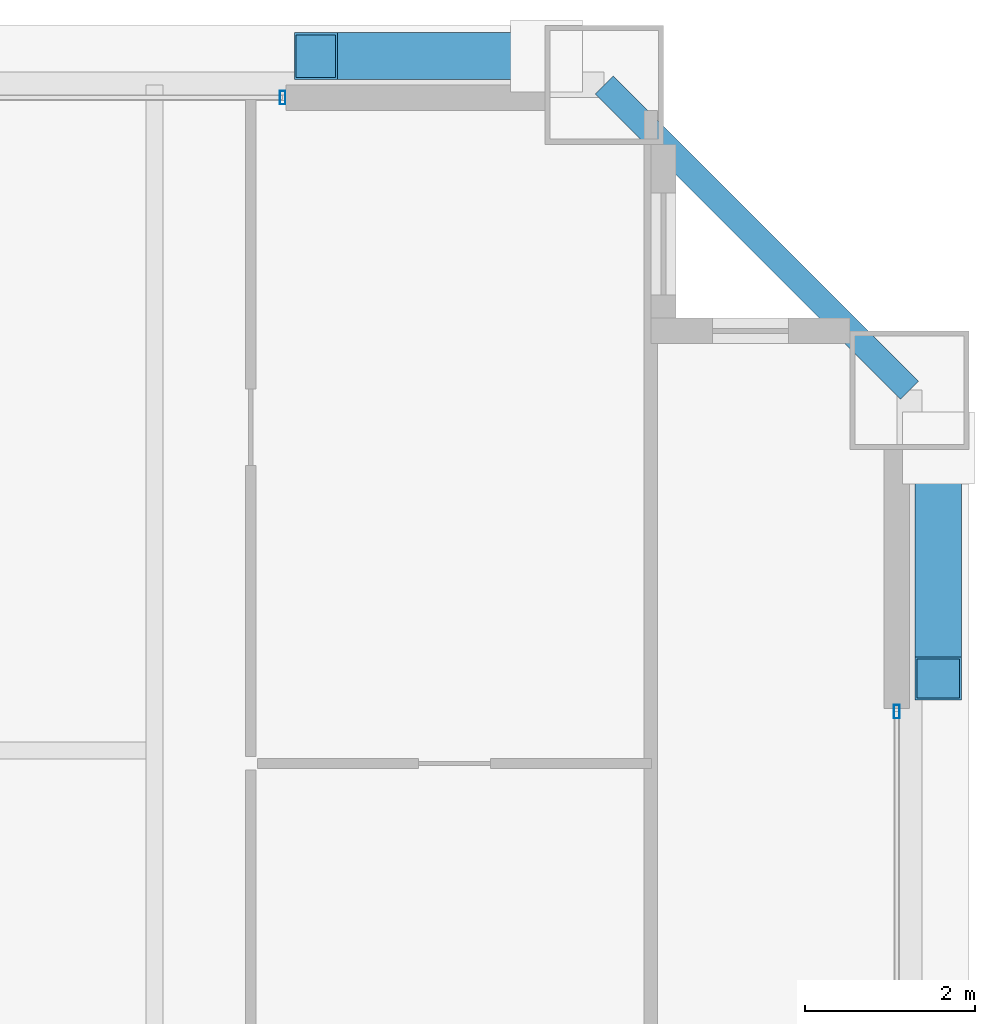
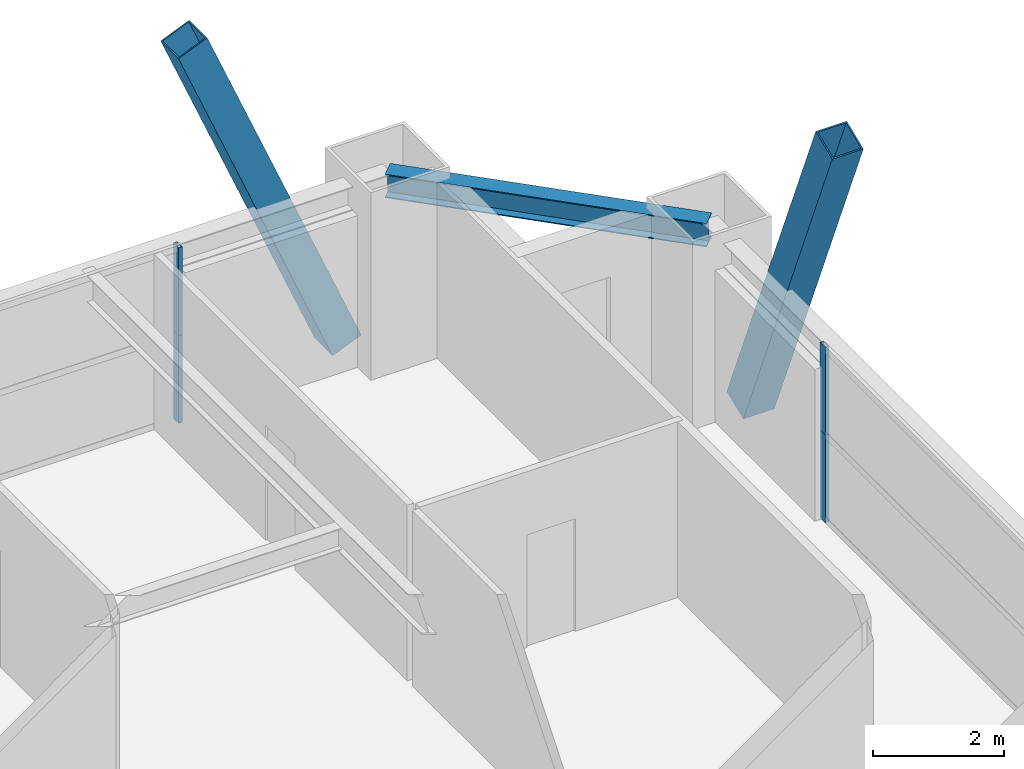
# One storey, part 38 of 45: 6 members, 1 beam, 2 elements without a shape of their own.
"""IFC4 building model written with IfcOpenShell, lengths in metres."""

from ifc_helpers import new_model, si_unit, direction, frame, origin, origin_2d, place, context, subcontext, project, spatial, hollow_rectangle, i_section, extrude, source, transform, mapped, material, layer, layer_set, material_profile, profile_set, type_object, element, aggregate, save


model = new_model("IFC4")

# Units and contexts
model_context = context("Model", 3, precision=1e-05, world=origin(), true_north=direction((0.0, 1.0)))
body_context = subcontext(model_context, "Body", "Model", "MODEL_VIEW")
ifc_project = project(units=[si_unit("LENGTHUNIT", "METRE"), si_unit("AREAUNIT", "SQUARE_METRE"), si_unit("VOLUMEUNIT", "CUBIC_METRE"), si_unit("PLANEANGLEUNIT", "RADIAN"), si_unit("MASSUNIT", "GRAM", prefix="KILO"), si_unit("THERMODYNAMICTEMPERATUREUNIT", "KELVIN"), si_unit("POWERUNIT", "WATT")], contexts=[model_context])

# Site, building, storey
site_placement = place(None, origin())
site = spatial("IfcSite", under=ifc_project, at=site_placement, CompositionType="ELEMENT")
building_placement = place(site_placement, origin())
building = spatial("IfcBuilding", under=site, at=building_placement, Name="Yuzanri Waterfront Tower", CompositionType="ELEMENT")
storey_placement = place(building_placement, frame((0.0, 0.0, 212.5)))
storey = spatial("IfcBuildingStorey", under=building, at=storey_placement, Name="L56", CompositionType="ELEMENT", Elevation=212.5)

# Beam
ifc_material_1 = material(Name="Steel Q355B", Category="steel")
ifc_material_profile_1 = material_profile(ifc_material_1, i_section(OverallWidth=0.300048828125, OverallDepth=0.43994140625, WebThickness=0.010986328125, FlangeThickness=0.01806640625, at=origin_2d()), Name="HM 440x300x11x18")
ifc_profile_set_1 = profile_set([ifc_material_profile_1], Name="Steel Q355B")
beam_type = type_object("IfcBeamType", Name="Perimeter Spandrel Q355B HM 440x300", PredefinedType="SPANDREL", material=ifc_profile_set_1)
shared_shape_1 = source(origin(), body_context, "Body", "SweptSolid", [
    extrude(i_section(OverallWidth=0.300048828125, OverallDepth=0.43994140625, WebThickness=0.010986328125, FlangeThickness=0.01806640625, at=origin_2d()), origin(), (0.0, 0.0, 1.0), 5.091064453125),
])
beam_placement = place(storey_placement, frame((59.10009765625, 44.300048828125, 3.06005859375), z_axis=(-0.707130757816, 0.707082803744, 0.0), x_axis=(-0.707082803744, -0.707130757816, 0.0)))
element("IfcBeam", 1, at=beam_placement, inside=storey, type_object=beam_type, Name="L56 Perimeter Spandrel E3-N3", PredefinedType="SPANDREL", context=body_context, shape_type="MappedRepresentation", body=[
    mapped(shared_shape_1, transform((0.0, 0.0, 0.0), scale=1.0)),
])

# Members
ifc_material_2 = material(Name="Steel Q390GJC", Category="steel")
ifc_material_profile_2 = material_profile(ifc_material_2, hollow_rectangle(XDim=0.550048828125, YDim=0.550048828125, WallThickness=0.02490234375, at=origin_2d()), Name="RHS 550x550x25")
ifc_profile_set_2 = profile_set([ifc_material_profile_2], Name="Steel Q390GJC")
member_type_1 = type_object("IfcMemberType", Name="Mega Brace Mid Q390GJC RHS 550x550x25", PredefinedType="BRACE", material=ifc_profile_set_2)
shared_shape_2 = source(origin(), body_context, "Body", "SweptSolid", [
    extrude(hollow_rectangle(XDim=0.550048828125, YDim=0.550048828125, WallThickness=0.02490234375, at=origin_2d()), origin(), (0.0, 0.0, 1.0), 7.046142578125),
])
for number, where, z_axis, x_axis, name in (
    (2, (54.820068359375, 48.239990234375, 0.179931640625), (-0.386022211732, 0.0, 0.922489486146), (0.0, -1.0, 0.0), "L56-L57 Perimeter Mega-Brace N-R"),
    (3, (59.43994140625, 43.6201171875, 0.179931640625), (0.0, -0.386051696808, 0.922477147355), (1.0, 0.0, 0.0), "L56-L57 Perimeter Mega-Brace E-R"),
):
    element("IfcMember", number, at=place(storey_placement, frame(where, z_axis=z_axis, x_axis=x_axis)), inside=storey, type_object=member_type_1, Name=name, PredefinedType="BRACE", context=body_context, shape_type="MappedRepresentation", body=[
        mapped(shared_shape_2, transform((0.0, 0.0, 0.0), scale=1.0)),
    ])

# Curtain wall, members
ifc_material_3 = material(Name="Anodized Architectural Bronze", Category="metal")
ifc_layer = layer(ifc_material_3, 0.159912109375)
ifc_layer_set = layer_set([ifc_layer], Name="Anodized Architectural Bronze")
curtain_wall_type = type_object("IfcCurtainWallType", Name="Anodized Bronze Mid-Rise Residential Acoustic Unitized Curtain Wall 7200", PredefinedType="NOTDEFINED", material=ifc_layer_set)
curtain_wall_1_placement = place(storey_placement, origin())
curtain_wall_1 = element("IfcCurtainWall", 4, at=curtain_wall_1_placement, inside=storey, type_object=curtain_wall_type, Name="L56 Curtain Wall CW-L56-NR", PredefinedType="NOTDEFINED")
ifc_material_4 = material(Name="Anodized Architectural Bronze", Category="metal")
ifc_material_profile_3 = material_profile(ifc_material_4, hollow_rectangle(XDim=0.06494140625, YDim=0.159912109375, WallThickness=0.00341796875, at=origin_2d()), Name="CWM 65x160")
ifc_profile_set_3 = profile_set([ifc_material_profile_3], Name="Anodized Architectural Bronze")
member_type_2 = type_object("IfcMemberType", Name="Anodized Bronze Upper-Zone Curtain-Wall Mullion 65x160", PredefinedType="MULLION", material=ifc_profile_set_3)
shared_shape_3 = source(origin(), body_context, "Body", "SweptSolid", [
    extrude(hollow_rectangle(XDim=0.06494140625, YDim=0.159912109375, WallThickness=0.00341796875, at=origin_2d()), origin(), (0.0, 0.0, 1.0), 1.637939453125),
])
member_1_placement = place(storey_placement, frame((51.7099609375, 47.75, 0.0), z_axis=(0.0, 0.0, 1.0), x_axis=(1.0, 0.0, 0.0)))
member_1 = element("IfcMember", 5, at=member_1_placement, type_object=member_type_2, Name="CW-L56-NR Lower Mullion 02", PredefinedType="MULLION", context=body_context, shape_type="MappedRepresentation", body=[
    mapped(shared_shape_3, transform((0.0, 0.0, 0.0), scale=1.0)),
])
member_2_placement = place(storey_placement, frame((51.7099609375, 47.75, 1.64208984375), z_axis=(0.0, 0.0, 1.0), x_axis=(1.0, 0.0, 0.0)))
member_2 = element("IfcMember", 6, at=member_2_placement, type_object=member_type_2, Name="CW-L56-NR Upper Mullion 02", PredefinedType="MULLION", context=body_context, shape_type="MappedRepresentation", body=[
    mapped(shared_shape_3, transform((0.0, 0.0, 0.0), scale=1.0)),
])
aggregate(curtain_wall_1, [member_1, member_2])

curtain_wall_2_placement = place(storey_placement, origin())
curtain_wall_2 = element("IfcCurtainWall", 7, at=curtain_wall_2_placement, inside=storey, type_object=curtain_wall_type, Name="L56 Curtain Wall CW-L56-ER", PredefinedType="NOTDEFINED")
member_3_placement = place(storey_placement, frame((58.949951171875, 40.510009765625, 0.0), z_axis=(0.0, 0.0, 1.0), x_axis=(1.0, 0.0, 0.0)))
member_3 = element("IfcMember", 8, at=member_3_placement, type_object=member_type_2, Name="CW-L56-ER Lower Mullion 02", PredefinedType="MULLION", context=body_context, shape_type="MappedRepresentation", body=[
    mapped(shared_shape_3, transform((0.0, 0.0, 0.0), scale=1.0)),
])
member_4_placement = place(storey_placement, frame((58.949951171875, 40.510009765625, 1.64208984375), z_axis=(0.0, 0.0, 1.0), x_axis=(1.0, 0.0, 0.0)))
member_4 = element("IfcMember", 9, at=member_4_placement, type_object=member_type_2, Name="CW-L56-ER Upper Mullion 02", PredefinedType="MULLION", context=body_context, shape_type="MappedRepresentation", body=[
    mapped(shared_shape_3, transform((0.0, 0.0, 0.0), scale=1.0)),
])
aggregate(curtain_wall_2, [member_3, member_4])

save(model, "model.ifc")
